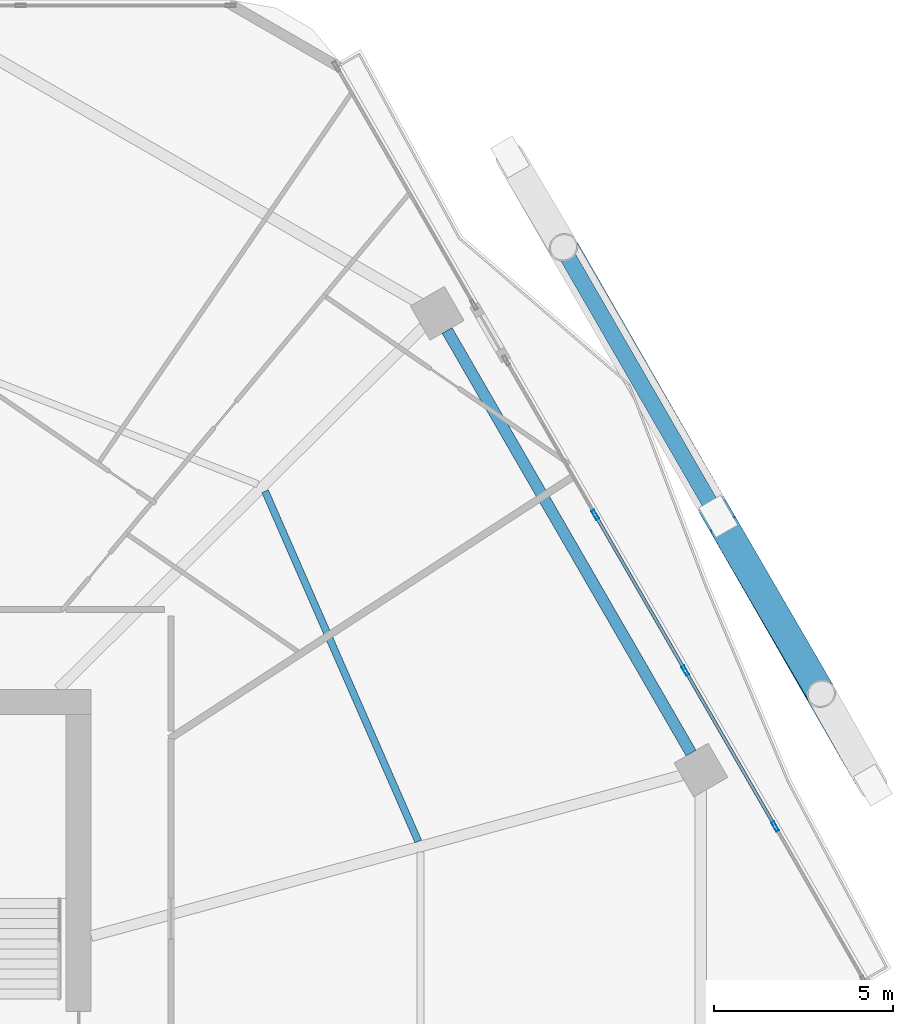
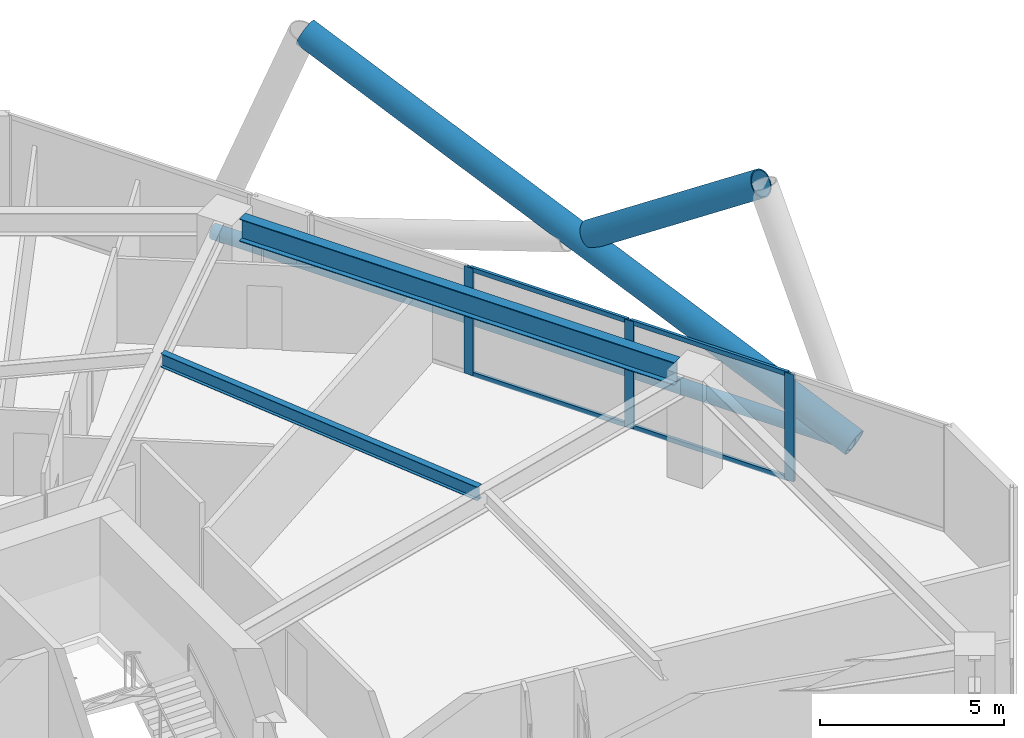
# One storey, part 20 of 35: 10 members, 2 beams, 1 element without a shape of its own.
"""IFC4 building model written with IfcOpenShell, lengths in metres."""

from ifc_helpers import new_model, si_unit, direction, frame, origin, origin_2d, place, context, subcontext, project, spatial, hollow_rectangle, hollow_circle, i_section, extrude, material, material_profile, profile_set, type_object, element, aggregate, save


model = new_model("IFC4")

# Units and contexts
model_context = context("Model", 3, precision=1e-05, world=origin(), true_north=direction((0.0, 1.0)))
body_context = subcontext(model_context, "Body", "Model", "MODEL_VIEW")
ifc_project = project(units=[si_unit("LENGTHUNIT", "METRE"), si_unit("AREAUNIT", "SQUARE_METRE"), si_unit("VOLUMEUNIT", "CUBIC_METRE"), si_unit("PLANEANGLEUNIT", "RADIAN"), si_unit("MASSUNIT", "GRAM", prefix="KILO")], contexts=[model_context])

# Site, building, storey
site_placement = place(None, origin())
site = spatial("IfcSite", under=ifc_project, at=site_placement, CompositionType="ELEMENT")
building_placement = place(site_placement, origin())
building = spatial("IfcBuilding", under=site, at=building_placement, Name="Zuhravey Tower", CompositionType="ELEMENT")
storey_placement = place(building_placement, frame((0.0, 0.0, 122.800048828125)))
storey = spatial("IfcBuildingStorey", under=building, at=storey_placement, Name="L30", CompositionType="ELEMENT", Elevation=122.800048828125)

# Curtain wall, members
ifc_material_1 = material(Name="Thermally broken anodised aluminium", Category="aluminium")
curtain_wall_type = type_object("IfcCurtainWallType", Name="Zone 1-2 Residential Curtain Wall CW3", PredefinedType="NOTDEFINED", material=ifc_material_1)
curtain_wall_placement = place(storey_placement, origin())
curtain_wall = element("IfcCurtainWall", 1, at=curtain_wall_placement, inside=storey, type_object=curtain_wall_type, Name="L30 CW3 CW-L30-F1-2", PredefinedType="NOTDEFINED")
ifc_material_2 = material(Name="Anodised aluminium", Category="aluminium")
ifc_material_profile_1 = material_profile(ifc_material_2, hollow_rectangle(XDim=0.090087890625, YDim=0.284912109375, WallThickness=0.0048828125, at=origin_2d()), Name="ALU-RHS-90x285x5")
ifc_profile_set_1 = profile_set([ifc_material_profile_1], Name="Anodised aluminium")
member_type_1 = type_object("IfcMemberType", Name="Curtain-Wall Mullion 90x180", PredefinedType="MULLION", material=ifc_profile_set_1)
member_1_placement = place(storey_placement, frame((60.93603515625, 46.7265625, 0.0), z_axis=(0.0, 0.0, 1.0), x_axis=(0.866026122816, 0.499998754599, 0.0)))
member_1 = element("IfcMember", 2, at=member_1_placement, type_object=member_type_1, Name="CW3 mullion 2", PredefinedType="MULLION", context=body_context, shape_type="SweptSolid", body=[
    extrude(hollow_rectangle(XDim=0.090087890625, YDim=0.284912109375, WallThickness=0.0048828125, at=origin_2d()), origin(), (0.0, 0.0, 1.0), 3.550048828125),
])
member_2_placement = place(storey_placement, frame((63.4501953125, 42.371826171875, 0.0), z_axis=(0.0, 0.0, 1.0), x_axis=(0.866026122816, 0.499998754599, 0.0)))
member_2 = element("IfcMember", 3, at=member_2_placement, type_object=member_type_1, Name="CW3 mullion 3", PredefinedType="MULLION", context=body_context, shape_type="SweptSolid", body=[
    extrude(hollow_rectangle(XDim=0.090087890625, YDim=0.284912109375, WallThickness=0.0048828125, at=origin_2d()), origin(), (0.0, 0.0, 1.0), 3.550048828125),
])
member_3_placement = place(storey_placement, frame((65.96435546875, 38.01708984375, 0.0), z_axis=(0.0, 0.0, 1.0), x_axis=(0.866026122816, 0.499998754599, 0.0)))
member_3 = element("IfcMember", 4, at=member_3_placement, type_object=member_type_1, Name="CW3 mullion 4", PredefinedType="MULLION", context=body_context, shape_type="SweptSolid", body=[
    extrude(hollow_rectangle(XDim=0.090087890625, YDim=0.284912109375, WallThickness=0.0048828125, at=origin_2d()), origin(), (0.0, 0.0, 1.0), 3.550048828125),
])
ifc_material_profile_2 = material_profile(ifc_material_2, hollow_rectangle(XDim=0.090087890625, YDim=0.14990234375, WallThickness=0.0048828125, at=origin_2d()), Name="ALU-RHS-90x150x5")
ifc_profile_set_2 = profile_set([ifc_material_profile_2], Name="Anodised aluminium")
member_type_2 = type_object("IfcMemberType", Name="Curtain-Wall Transom 90x150", PredefinedType="USERDEFINED", material=ifc_profile_set_2)
member_4_placement = place(storey_placement, frame((60.95849609375, 46.6875, 0.044921875), z_axis=(0.500020591025, -0.866013515224, 0.0), x_axis=(0.866013515224, 0.500020591025, 0.0)))
member_4 = element("IfcMember", 5, at=member_4_placement, type_object=member_type_2, Name="CW3 transom 2.1", ObjectType="TRANSOM", PredefinedType="USERDEFINED", context=body_context, shape_type="SweptSolid", body=[
    extrude(hollow_rectangle(XDim=0.090087890625, YDim=0.14990234375, WallThickness=0.0048828125, at=origin_2d()), origin(), (0.0, 0.0, 1.0), 4.938232421875),
])
member_5_placement = place(storey_placement, frame((60.95849609375, 46.6875, 3.5048828125), z_axis=(0.500020591025, -0.866013515224, 0.0), x_axis=(0.866013515224, 0.500020591025, 0.0)))
member_5 = element("IfcMember", 6, at=member_5_placement, type_object=member_type_2, Name="CW3 transom 2.2", ObjectType="TRANSOM", PredefinedType="USERDEFINED", context=body_context, shape_type="SweptSolid", body=[
    extrude(hollow_rectangle(XDim=0.090087890625, YDim=0.14990234375, WallThickness=0.0048828125, at=origin_2d()), origin(), (0.0, 0.0, 1.0), 4.938232421875),
])
member_6_placement = place(storey_placement, frame((63.47265625, 42.332763671875, 0.044921875), z_axis=(0.500020591025, -0.866013515224, 0.0), x_axis=(0.866013515224, 0.500020591025, 0.0)))
member_6 = element("IfcMember", 7, at=member_6_placement, type_object=member_type_2, Name="CW3 transom 3.1", ObjectType="TRANSOM", PredefinedType="USERDEFINED", context=body_context, shape_type="SweptSolid", body=[
    extrude(hollow_rectangle(XDim=0.090087890625, YDim=0.14990234375, WallThickness=0.0048828125, at=origin_2d()), origin(), (0.0, 0.0, 1.0), 4.938232421875),
])
member_7_placement = place(storey_placement, frame((63.47265625, 42.332763671875, 3.5048828125), z_axis=(0.500020591025, -0.866013515224, 0.0), x_axis=(0.866013515224, 0.500020591025, 0.0)))
member_7 = element("IfcMember", 8, at=member_7_placement, type_object=member_type_2, Name="CW3 transom 3.2", ObjectType="TRANSOM", PredefinedType="USERDEFINED", context=body_context, shape_type="SweptSolid", body=[
    extrude(hollow_rectangle(XDim=0.090087890625, YDim=0.14990234375, WallThickness=0.0048828125, at=origin_2d()), origin(), (0.0, 0.0, 1.0), 4.938232421875),
])
aggregate(curtain_wall, [member_1, member_2, member_3, member_4, member_5, member_6, member_7])

# Members
ifc_material_3 = material(Name="Steel SM355", Category="steel")
ifc_material_profile_3 = material_profile(ifc_material_3, hollow_circle(Radius=0.228515625, WallThickness=0.02197265625, at=origin_2d()), Name="CHS-457.2x22")
ifc_profile_set_3 = profile_set([ifc_material_profile_3], Name="Steel SM355")
member_type_3 = type_object("IfcMemberType", Name="Exoskeleton Ring Tie CHS457x22", PredefinedType="CHORD", material=ifc_profile_set_3)
member_8_placement = place(storey_placement, frame((68.623291015625, 39.291748046875, -0.464111328125), z_axis=(-0.500001503855, 0.866024535532, 0.0), x_axis=(-0.866024535532, -0.500001503855, 0.0)))
element("IfcMember", 9, at=member_8_placement, inside=storey, type_object=member_type_3, Name="L30 Exoskeleton Face 1 Tie EXR1", PredefinedType="CHORD", context=body_context, shape_type="SweptSolid", body=[
    extrude(hollow_circle(Radius=0.228515625, WallThickness=0.02197265625, at=origin_2d()), origin(), (0.0, 0.0, 1.0), 19.99365234375),
])
ifc_material_4 = material(Name="Steel SM460", Category="steel")
ifc_material_profile_4 = material_profile(ifc_material_4, hollow_circle(Radius=0.406494140625, WallThickness=0.035888671875, at=origin_2d()), Name="CHS-812.8x36")
ifc_profile_set_4 = profile_set([ifc_material_profile_4], Name="Steel SM460")
member_type_4 = type_object("IfcMemberType", Name="Exoskeleton Zone 1 Diagrid CHS813x36", PredefinedType="BRACE", material=ifc_profile_set_4)
member_9_placement = place(storey_placement, frame((68.668212890625, 39.214111328125, -0.442138671875), z_axis=(-0.456522045274, 0.79390794042, 0.401618979029), x_axis=(-0.866894516106, -0.498491622744, 0.0)))
element("IfcMember", 10, at=member_9_placement, inside=storey, type_object=member_type_4, Name="L30 Face 1 Diagrid Brace 2", PredefinedType="BRACE", context=body_context, shape_type="SweptSolid", body=[
    extrude(hollow_circle(Radius=0.406494140625, WallThickness=0.035888671875, at=origin_2d()), origin(), (0.0, 0.0, 1.0), 18.814208984375),
])
member_10_placement = place(storey_placement, frame((64.53955078125, 46.396728515625, 3.55517578125), z_axis=(0.418406861142, -0.720333877861, 0.553222200345), x_axis=(0.864711536908, 0.502268810438, 0.0)))
element("IfcMember", 11, at=member_10_placement, inside=storey, type_object=member_type_4, Name="L30 Face 1 Split Diagrid Brace 3B", PredefinedType="BRACE", context=body_context, shape_type="SweptSolid", body=[
    extrude(hollow_circle(Radius=0.406494140625, WallThickness=0.035888671875, at=origin_2d()), origin(), (0.0, 0.0, 1.0), 6.41796875),
])

# Beams
ifc_material_profile_5 = material_profile(ifc_material_3, i_section(OverallWidth=0.320068359375, OverallDepth=0.75, WebThickness=0.013916015625, FlangeThickness=0.02490234375, at=origin_2d()), Name="H-750x320x14x25")
ifc_profile_set_5 = profile_set([ifc_material_profile_5], Name="Steel SM355")
beam_type_1 = type_object("IfcBeamType", Name="Perimeter Ring Beam H750x320", PredefinedType="BEAM", material=ifc_profile_set_5)
beam_1_placement = place(storey_placement, frame((63.612548828125, 40.070556640625, 3.175048828125), z_axis=(-0.500008177929, 0.866020682204, 0.0), x_axis=(-0.866020682204, -0.500008177929, 0.0)))
element("IfcBeam", 12, at=beam_1_placement, inside=storey, type_object=beam_type_1, Name="L30 PB1 BM-L30-PB-01", PredefinedType="BEAM", context=body_context, shape_type="SweptSolid", body=[
    extrude(i_section(OverallWidth=0.320068359375, OverallDepth=0.75, WebThickness=0.013916015625, FlangeThickness=0.02490234375, at=origin_2d()), origin(), (0.0, 0.0, 1.0), 13.634033203125),
])
ifc_material_profile_6 = material_profile(ifc_material_3, i_section(OverallWidth=0.199951171875, OverallDepth=0.449951171875, WebThickness=0.009033203125, FlangeThickness=0.013916015625, at=origin_2d()), Name="H-450x200x9x14")
ifc_profile_set_6 = profile_set([ifc_material_profile_6], Name="Steel SM355")
beam_type_2 = type_object("IfcBeamType", Name="Secondary Floor Joist H450x200", PredefinedType="JOIST", material=ifc_profile_set_6)
beam_2_placement = place(storey_placement, frame((55.99072265625, 37.599609375, 3.324951171875), z_axis=(-0.400786454617, 0.916171500209, 0.0), x_axis=(-0.916171500209, -0.400786454617, 0.0)))
element("IfcBeam", 13, at=beam_2_placement, inside=storey, type_object=beam_type_2, Name="L30 SJ1 BM-L30-SJ-01-1", PredefinedType="JOIST", context=body_context, shape_type="SweptSolid", body=[
    extrude(i_section(OverallWidth=0.199951171875, OverallDepth=0.449951171875, WebThickness=0.009033203125, FlangeThickness=0.013916015625, at=origin_2d()), origin(), (0.0, 0.0, 1.0), 10.6796875),
])

save(model, "model.ifc")
